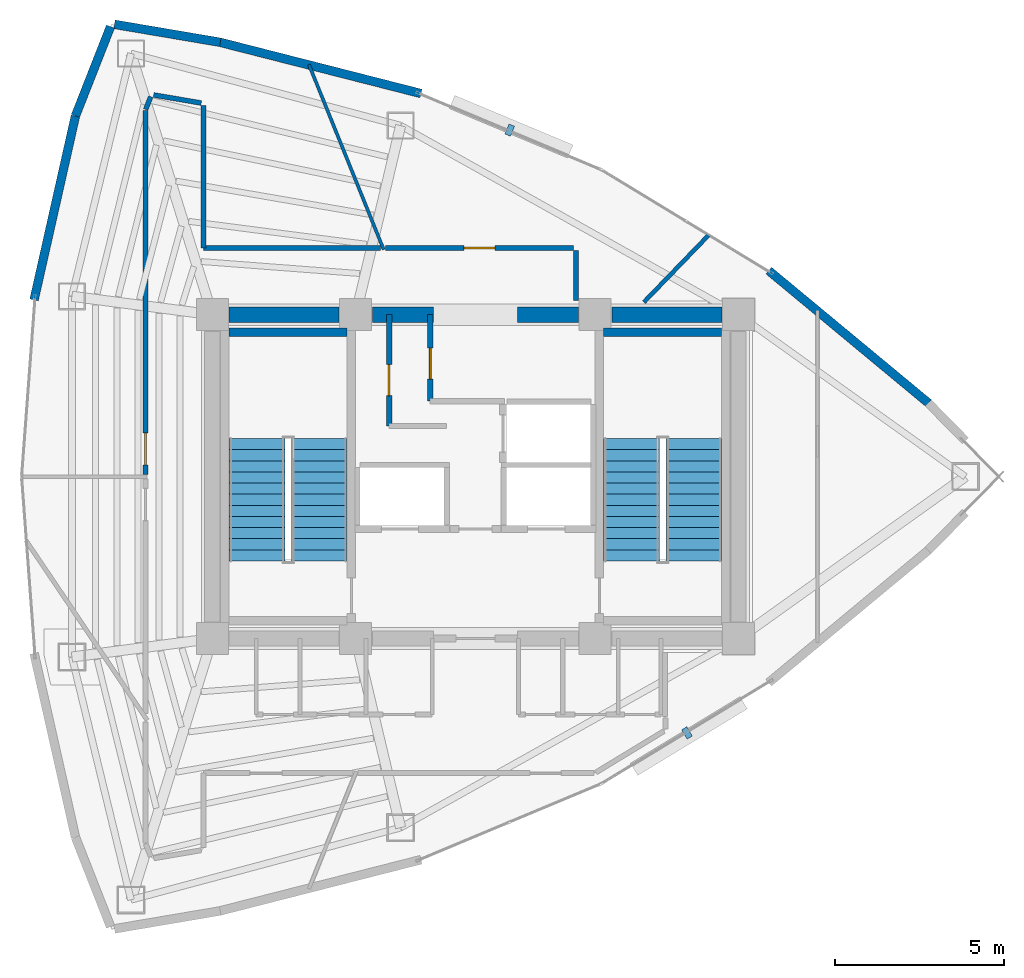
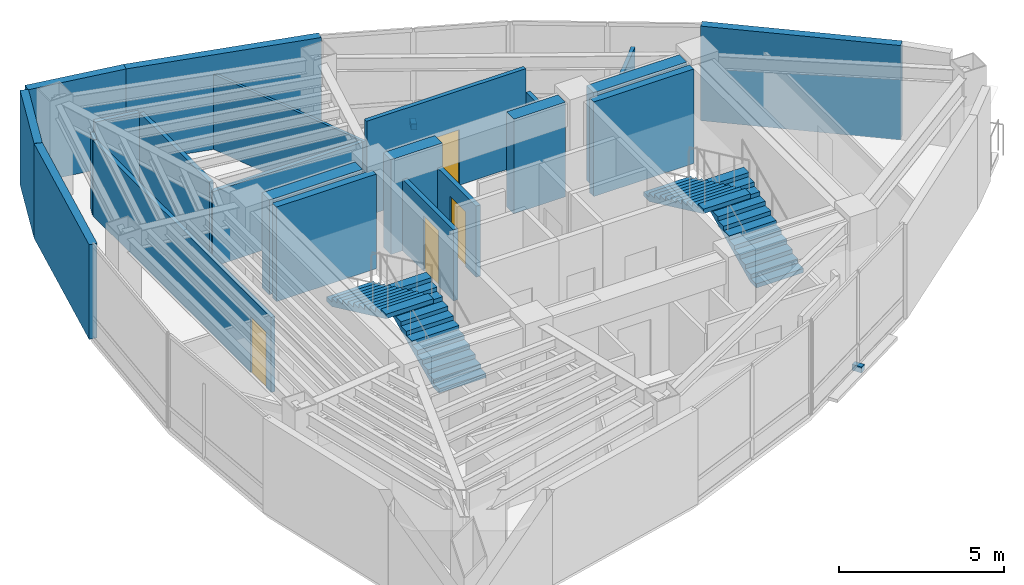
# One storey, part 13 of 15: 22 walls, 4 doors, 4 stair flights, 2 discrete accessories, 4 openings, 2 elements without a shape of their own.
"""IFC4 building model written with IfcOpenShell, lengths in metres."""

from ifc_helpers import new_model, si_unit, direction, frame, frame_2d, origin, origin_2d, place, context, subcontext, project, spatial, polyline, rectangle, outline, extrude, material, layer, layer_set, type_object, element, fill, aggregate, save


model = new_model("IFC4")

# Units and contexts
model_context = context("Model", 3, precision=1e-05, world=origin(), true_north=direction((0.0, 1.0)))
body_context = subcontext(model_context, "Body", "Model", "MODEL_VIEW")
ifc_project = project(units=[si_unit("LENGTHUNIT", "METRE"), si_unit("AREAUNIT", "SQUARE_METRE"), si_unit("VOLUMEUNIT", "CUBIC_METRE"), si_unit("PLANEANGLEUNIT", "RADIAN"), si_unit("MASSUNIT", "GRAM", prefix="KILO")], contexts=[model_context])

# Site, building, storey
site_placement = place(None, origin())
site = spatial("IfcSite", under=ifc_project, at=site_placement, CompositionType="ELEMENT")
building_placement = place(site_placement, origin())
building = spatial("IfcBuilding", under=site, at=building_placement, Name="Menara Vayukalpa", CompositionType="ELEMENT")
storey_placement = place(building_placement, frame((0.0, 0.0, 269.4599609375)))
storey = spatial("IfcBuildingStorey", under=building, at=storey_placement, Name="L68", CompositionType="ELEMENT", Elevation=269.4599609375)

# Walls
ifc_material_1 = material(Name="Concrete C50/60", Category="concrete")
ifc_layer_1 = layer(ifc_material_1, 0.449951171875)
ifc_layer_set_1 = layer_set([ifc_layer_1], Name="Concrete C50/60")
wall_type_1 = type_object("IfcWallType", Name="WAL-CW450", PredefinedType="SHEAR", material=ifc_layer_set_1)
wall_1_placement = place(storey_placement, frame((18.294921875, 26.800048828125, 0.0), z_axis=(0.0, 0.0, 1.0), x_axis=(1.0, 0.0, 0.0)))
element("IfcWall", 1, at=wall_1_placement, inside=storey, type_object=wall_type_1, Name="L68 Buttressed Core Shear Wall CWN1", PredefinedType="SHEAR", context=body_context, shape_type="SweptSolid", body=[
    extrude(rectangle(XDim=3.260009765625, YDim=0.449951171875, at=frame_2d((1.6298828125, 0.0))), origin(), (0.0, 0.0, 1.0), 3.5),
])
wall_2_placement = place(storey_placement, frame((22.544921875, 26.800048828125, 0.0), z_axis=(0.0, 0.0, 1.0), x_axis=(1.0, 0.0, 0.0)))
element("IfcWall", 2, at=wall_2_placement, inside=storey, type_object=wall_type_1, Name="L68 Buttressed Core Shear Wall CWN2", PredefinedType="SHEAR", context=body_context, shape_type="SweptSolid", body=[
    extrude(rectangle(XDim=1.80517578125, YDim=0.449951171875, at=frame_2d((0.902587890625, 0.0))), origin(), (0.0, 0.0, 1.0), 3.5),
])
wall_3_placement = place(storey_placement, frame((26.85009765625, 26.800048828125, 0.0), z_axis=(0.0, 0.0, 1.0), x_axis=(1.0, 0.0, 0.0)))
element("IfcWall", 3, at=wall_3_placement, inside=storey, type_object=wall_type_1, Name="L68 Buttressed Core Shear Wall CWN3", PredefinedType="SHEAR", context=body_context, shape_type="SweptSolid", body=[
    extrude(rectangle(XDim=1.804931640625, YDim=0.449951171875, at=frame_2d((0.90234375, 0.0))), origin(), (0.0, 0.0, 1.0), 3.5),
])
wall_4_placement = place(storey_placement, frame((29.64501953125, 26.800048828125, 0.0), z_axis=(0.0, 0.0, 1.0), x_axis=(1.0, 0.0, 0.0)))
element("IfcWall", 4, at=wall_4_placement, inside=storey, type_object=wall_type_1, Name="L68 Buttressed Core Shear Wall CWN4", PredefinedType="SHEAR", context=body_context, shape_type="SweptSolid", body=[
    extrude(rectangle(XDim=3.260009765625, YDim=0.449951171875, at=frame_2d((1.6298828125, 0.0))), origin(), (0.0, 0.0, 1.0), 3.5),
])
ifc_material_2 = material(Name="Insulated Precast Concrete C40/50", Category="concrete")
ifc_layer_2 = layer(ifc_material_2, 0.260009765625)
ifc_layer_set_2 = layer_set([ifc_layer_2], Name="Insulated Precast Concrete C40/50")
wall_type_2 = type_object("IfcWallType", Name="WAL-EXT260", PredefinedType="PARTITIONING", material=ifc_layer_set_2)
wall_5_placement = place(storey_placement, frame((34.295166015625, 28.1083984375, 0.0), z_axis=(0.0, 0.0, 1.0), x_axis=(0.769779830138, -0.638309496337, 0.0)))
element("IfcWall", 5, at=wall_5_placement, inside=storey, type_object=wall_type_2, Name="L68 Perimeter Terracotta Pier Wall 03", PredefinedType="PARTITIONING", context=body_context, shape_type="SweptSolid", body=[
    extrude(rectangle(XDim=6.154052734375, YDim=0.260009765625, at=frame_2d((3.0771484375, 0.0))), origin(), (0.0, 0.0, 1.0), 3.5),
])
wall_6_placement = place(storey_placement, frame((18.0244140625, 34.878662109375, 0.0), z_axis=(0.0, 0.0, 1.0), x_axis=(0.968988278672, -0.247106689096, 0.0)))
element("IfcWall", 6, at=wall_6_placement, inside=storey, type_object=wall_type_2, Name="L68 Perimeter Terracotta Pier Wall 06", PredefinedType="PARTITIONING", context=body_context, shape_type="SweptSolid", body=[
    extrude(rectangle(XDim=6.154296875, YDim=0.260009765625, at=frame_2d((3.0771484375, 0.0))), origin(), (0.0, 0.0, 1.0), 3.5),
])
wall_7_placement = place(storey_placement, frame((14.900146484375, 35.40869140625, 0.0), z_axis=(0.0, 0.0, 1.0), x_axis=(0.985889432766, -0.167397808709, 0.0)))
element("IfcWall", 7, at=wall_7_placement, inside=storey, type_object=wall_type_2, Name="L68 Perimeter Terracotta Pier Wall 07", PredefinedType="PARTITIONING", context=body_context, shape_type="SweptSolid", body=[
    extrude(rectangle(XDim=3.180908203125, YDim=0.260009765625, at=frame_2d((1.59033203125, 0.0))), origin(), (0.0, 0.0, 1.0), 3.5),
])
wall_8_placement = place(storey_placement, frame((13.741943359375, 32.693359375, 0.0), z_axis=(0.0, 0.0, 1.0), x_axis=(0.36559927932, 0.930772349697, 0.0)))
element("IfcWall", 8, at=wall_8_placement, inside=storey, type_object=wall_type_2, Name="L68 Perimeter Terracotta Pier Wall 08", PredefinedType="PARTITIONING", context=body_context, shape_type="SweptSolid", body=[
    extrude(rectangle(XDim=2.845458984375, YDim=0.260009765625, at=frame_2d((1.4228515625, 0.0))), origin(), (0.0, 0.0, 1.0), 3.5),
])
wall_9_placement = place(storey_placement, frame((12.514892578125, 27.239501953125, 0.0), z_axis=(0.0, 0.0, 1.0), x_axis=(0.219500763731, 0.97561232809, 0.0)))
element("IfcWall", 9, at=wall_9_placement, inside=storey, type_object=wall_type_2, Name="L68 Perimeter Terracotta Pier Wall 09", PredefinedType="PARTITIONING", context=body_context, shape_type="SweptSolid", body=[
    extrude(rectangle(XDim=5.590087890625, YDim=0.260009765625, at=frame_2d((2.794921875, 0.0))), origin(), (0.0, 0.0, 1.0), 3.5),
])

# Wall, opening, door
ifc_material_3 = material(Name="Lightweight Concrete Blockwork C16/20", Category="masonry")
ifc_layer_3 = layer(ifc_material_3, 0.159912109375)
ifc_layer_set_3 = layer_set([ifc_layer_3], Name="Lightweight Concrete Blockwork C16/20")
wall_type_3 = type_object("IfcWallType", Name="WAL-FR150", PredefinedType="PARTITIONING", material=ifc_layer_set_3)
wall_10_placement = place(storey_placement, frame((23.0400390625, 23.5, 0.0), z_axis=(0.0, 0.0, 1.0), x_axis=(0.0, 1.0, 0.0)))
wall_10 = element("IfcWall", 10, at=wall_10_placement, inside=storey, type_object=wall_type_3, Name="L68 Interior Partition IW-L68-LV7WB", PredefinedType="PARTITIONING", context=body_context, shape_type="SweptSolid", body=[
    extrude(rectangle(XDim=3.300048828125, YDim=0.159912109375, at=frame_2d((1.64990234375, 0.0))), origin(), (0.0, 0.0, 1.0), 2.630126953125),
])
opening_1_placement = place(wall_10_placement, frame((0.89990234375, 0.0, 0.0)))
opening_1 = element("IfcOpeningElement", 11, at=opening_1_placement, cuts=wall_10, Name="Opening ID6", PredefinedType="OPENING", context=body_context, shape_type="SweptSolid", body=[
    extrude(rectangle(XDim=0.919921875, YDim=2.050048828125, at=frame_2d((0.4599609375, 1.02490234375))), frame((0.0, 0.08984375, 0.0), z_axis=(0.0, -1.0, 0.0), x_axis=(1.0, 0.0, 0.0)), (0.0, 0.0, 1.0), 0.179931640625),
])
ifc_material_4 = material(Name="Acoustic Hardwood Veneer Timber Door", Category="wood")
door_type_1 = type_object("IfcDoorType", Name="DR-INT92", OperationType="NOTDEFINED", PredefinedType="DOOR", material=ifc_material_4)
door_1_placement = place(opening_1_placement, origin())
door_1 = element("IfcDoor", 12, at=door_1_placement, inside=storey, type_object=door_type_1, Name="L68 Interior Door DR-L68-LV7W", OperationType="SINGLE_SWING_RIGHT", OverallHeight=2.050048828125, OverallWidth=0.919921875, PredefinedType="DOOR", context=body_context, shape_type="SweptSolid", body=[
    extrude(rectangle(XDim=0.919921875, YDim=2.050048828125, at=frame_2d((0.4599609375, 1.02490234375))), frame((0.0, 0.02490234375, 0.0), z_axis=(0.0, -1.0, 0.0), x_axis=(1.0, 0.0, 0.0)), (0.0, 0.0, 1.0), 0.050048828125),
])
fill(opening_1, door_1)

wall_11_placement = place(storey_placement, frame((24.260009765625, 24.239990234375, 0.0), z_axis=(0.0, 0.0, 1.0), x_axis=(0.0, 1.0, 0.0)))
wall_11 = element("IfcWall", 13, at=wall_11_placement, inside=storey, type_object=wall_type_3, Name="L68 Interior Partition IW-L68-LV7EB", PredefinedType="PARTITIONING", context=body_context, shape_type="SweptSolid", body=[
    extrude(rectangle(XDim=2.56005859375, YDim=0.159912109375, at=frame_2d((1.280029296875, 0.0))), origin(), (0.0, 0.0, 1.0), 2.630126953125),
])
opening_2_placement = place(wall_11_placement, frame((0.64990234375, 0.0, 0.0)))
opening_2 = element("IfcOpeningElement", 14, at=opening_2_placement, cuts=wall_11, Name="Opening ID6", PredefinedType="OPENING", context=body_context, shape_type="SweptSolid", body=[
    extrude(rectangle(XDim=0.919921875, YDim=2.050048828125, at=frame_2d((0.4599609375, 1.02490234375))), frame((0.0, 0.08984375, 0.0), z_axis=(0.0, -1.0, 0.0), x_axis=(1.0, 0.0, 0.0)), (0.0, 0.0, 1.0), 0.179931640625),
])
door_2_placement = place(opening_2_placement, origin())
door_2 = element("IfcDoor", 15, at=door_2_placement, inside=storey, type_object=door_type_1, Name="L68 Interior Door DR-L68-LV7E", OperationType="SINGLE_SWING_LEFT", OverallHeight=2.050048828125, OverallWidth=0.919921875, PredefinedType="DOOR", context=body_context, shape_type="SweptSolid", body=[
    extrude(rectangle(XDim=0.919921875, YDim=2.050048828125, at=frame_2d((0.4599609375, 1.02490234375))), frame((0.0, 0.02490234375, 0.0), z_axis=(0.0, -1.0, 0.0), x_axis=(1.0, 0.0, 0.0)), (0.0, 0.0, 1.0), 0.050048828125),
])
fill(opening_2, door_2)

# Walls
ifc_material_5 = material(Name="Glazed Demountable Office Partition", Category="glass")
ifc_layer_4 = layer(ifc_material_5, 0.094970703125)
ifc_layer_set_4 = layer_set([ifc_layer_4], Name="Glazed Demountable Office Partition")
wall_type_4 = type_object("IfcWallType", Name="WAL-PT100", PredefinedType="PARTITIONING", material=ifc_layer_set_4)
wall_12_placement = place(storey_placement, frame((22.880859375, 28.72998046875, 0.0), z_axis=(0.0, 0.0, 1.0), x_axis=(-0.374589946081, 0.927190580353, 0.0)))
element("IfcWall", 16, at=wall_12_placement, inside=storey, type_object=wall_type_4, Name="L68 Interior Partition IW-L68-RDIV02", PredefinedType="PARTITIONING", context=body_context, shape_type="SweptSolid", body=[
    extrude(rectangle(XDim=5.91650390625, YDim=0.094970703125, at=frame_2d((2.958251953125, 0.0))), origin(), (0.0, 0.0, 1.0), 2.780029296875),
])
ifc_material_6 = material(Name="Gypsum Drywall Steel Stud Assembly", Category="steel")
ifc_layer_5 = layer(ifc_material_6, 0.125)
ifc_layer_set_5 = layer_set([ifc_layer_5], Name="Gypsum Drywall Steel Stud Assembly")
wall_type_5 = type_object("IfcWallType", Name="WAL-PT125", PredefinedType="PARTITIONING", material=ifc_layer_set_5)
wall_13_placement = place(storey_placement, frame((30.592529296875, 27.169921875, 0.0), z_axis=(0.0, 0.0, 1.0), x_axis=(0.694647663232, 0.719350140033, 0.0)))
element("IfcWall", 17, at=wall_13_placement, inside=storey, type_object=wall_type_5, Name="L68 Interior Partition IW-L68-RDIV01", PredefinedType="PARTITIONING", context=body_context, shape_type="SweptSolid", body=[
    extrude(rectangle(XDim=2.787109375, YDim=0.125, at=frame_2d((1.3935546875, 0.0))), origin(), (0.0, 0.0, 1.0), 2.630126953125),
])
ifc_material_7 = material(Name="Gypsum Drywall Acoustic Stud Assembly", Category="masonry")
ifc_layer_6 = layer(ifc_material_7, 0.14501953125)
ifc_layer_set_6 = layer_set([ifc_layer_6], Name="Gypsum Drywall Acoustic Stud Assembly")
wall_type_6 = type_object("IfcWallType", Name="WAL-PT150", PredefinedType="PARTITIONING", material=ifc_layer_set_6)
wall_14_placement = place(storey_placement, frame((28.580078125, 27.219970703125, 0.0), z_axis=(0.0, 0.0, 1.0), x_axis=(0.0, 1.0, 0.0)))
element("IfcWall", 18, at=wall_14_placement, inside=storey, type_object=wall_type_6, Name="L68 Interior Partition IW-L68-CRM06-1", PredefinedType="PARTITIONING", context=body_context, shape_type="SweptSolid", body=[
    extrude(rectangle(XDim=1.47998046875, YDim=0.14501953125, at=frame_2d((0.739990234375, 0.0))), origin(), (0.0, 0.0, 1.0), 2.630126953125),
])

# Wall, opening, door
wall_15_placement = place(storey_placement, frame((28.5, 28.780029296875, 0.0), z_axis=(0.0, 0.0, 1.0), x_axis=(-1.0, 0.0, 0.0)))
wall_15 = element("IfcWall", 19, at=wall_15_placement, inside=storey, type_object=wall_type_6, Name="L68 Interior Partition IW-L68-CRM06-2", PredefinedType="PARTITIONING", context=body_context, shape_type="SweptSolid", body=[
    extrude(rectangle(XDim=5.563720703125, YDim=0.14501953125, at=frame_2d((2.78173828125, 0.0))), origin(), (0.0, 0.0, 1.0), 3.5),
])
opening_3_placement = place(wall_15_placement, frame((2.322021484375, 0.0, 0.0)))
opening_3 = element("IfcOpeningElement", 20, at=opening_3_placement, cuts=wall_15, Name="Opening ID6", PredefinedType="OPENING", context=body_context, shape_type="SweptSolid", body=[
    extrude(rectangle(XDim=0.919921875, YDim=2.050048828125, at=frame_2d((0.4599609375, 1.02490234375))), frame((0.0, 0.08251953125, 0.0), z_axis=(0.0, -1.0, 0.0), x_axis=(1.0, 0.0, 0.0)), (0.0, 0.0, 1.0), 0.1650390625),
])
door_3_placement = place(opening_3_placement, origin())
door_3 = element("IfcDoor", 21, at=door_3_placement, inside=storey, type_object=door_type_1, Name="L68 Interior Door DR-L68-RM06", OperationType="SINGLE_SWING_LEFT", OverallHeight=2.050048828125, OverallWidth=0.919921875, PredefinedType="DOOR", context=body_context, shape_type="SweptSolid", body=[
    extrude(rectangle(XDim=0.919921875, YDim=2.050048828125, at=frame_2d((0.4599609375, 1.02490234375))), frame((0.0, 0.02490234375, 0.0), z_axis=(0.0, -1.0, 0.0), x_axis=(1.0, 0.0, 0.0)), (0.0, 0.0, 1.0), 0.050048828125),
])
fill(opening_3, door_3)

# Walls
wall_16_placement = place(storey_placement, frame((22.78515625, 28.780029296875, 0.0), z_axis=(0.0, 0.0, 1.0), x_axis=(-1.0, 0.0, 0.0)))
element("IfcWall", 22, at=wall_16_placement, inside=storey, type_object=wall_type_6, Name="L68 Interior Partition IW-L68-CRM07-1", PredefinedType="PARTITIONING", context=body_context, shape_type="SweptSolid", body=[
    extrude(rectangle(XDim=5.2451171875, YDim=0.14501953125, at=frame_2d((2.62255859375, 0.0))), origin(), (0.0, 0.0, 1.0), 2.780029296875),
])
wall_17_placement = place(storey_placement, frame((17.5400390625, 28.780029296875, 0.0), z_axis=(0.0, 0.0, 1.0), x_axis=(0.0, 1.0, 0.0)))
element("IfcWall", 23, at=wall_17_placement, inside=storey, type_object=wall_type_6, Name="L68 Interior Partition IW-L68-CRM07-2", PredefinedType="PARTITIONING", context=body_context, shape_type="SweptSolid", body=[
    extrude(rectangle(XDim=4.216064453125, YDim=0.14501953125, at=frame_2d((2.10791015625, 0.0))), origin(), (0.0, 0.0, 1.0), 3.130126953125),
])
wall_18_placement = place(storey_placement, frame((17.473388671875, 33.074951171875, 0.0), z_axis=(0.0, 0.0, 1.0), x_axis=(-0.985881780308, 0.167442871621, 0.0)))
element("IfcWall", 24, at=wall_18_placement, inside=storey, type_object=wall_type_6, Name="L68 Interior Partition IW-L68-CRM07-3", PredefinedType="PARTITIONING", context=body_context, shape_type="SweptSolid", body=[
    extrude(rectangle(XDim=1.430419921875, YDim=0.14501953125, at=frame_2d((0.71533203125, 0.0))), origin(), (0.0, 0.0, 1.0), 3.130126953125),
])
wall_19_placement = place(storey_placement, frame((15.975341796875, 33.2646484375, 0.0), z_axis=(0.0, 0.0, 1.0), x_axis=(-0.365633948196, -0.930758731319, 0.0)))
element("IfcWall", 25, at=wall_19_placement, inside=storey, type_object=wall_type_6, Name="L68 Interior Partition IW-L68-CRM07-4", PredefinedType="PARTITIONING", context=body_context, shape_type="SweptSolid", body=[
    extrude(rectangle(XDim=0.409912109375, YDim=0.14501953125, at=frame_2d((0.205078125, 0.0))), origin(), (0.0, 0.0, 1.0), 2.780029296875),
])

# Wall, opening, door
wall_20_placement = place(storey_placement, frame((15.820068359375, 32.853759765625, 0.0), z_axis=(0.0, 0.0, 1.0), x_axis=(0.0, -1.0, 0.0)))
wall_20 = element("IfcWall", 26, at=wall_20_placement, inside=storey, type_object=wall_type_6, Name="L68 Interior Partition IW-L68-CRM07-5", PredefinedType="PARTITIONING", context=body_context, shape_type="SweptSolid", body=[
    extrude(rectangle(XDim=10.78369140625, YDim=0.14501953125, at=frame_2d((5.391845703125, 0.0))), origin(), (0.0, 0.0, 1.0), 2.780029296875),
])
opening_4_placement = place(wall_20_placement, frame((9.5537109375, 0.0, 0.0)))
opening_4 = element("IfcOpeningElement", 27, at=opening_4_placement, cuts=wall_20, Name="Opening ID5", PredefinedType="OPENING", context=body_context, shape_type="SweptSolid", body=[
    extrude(rectangle(XDim=0.949951171875, YDim=2.06005859375, at=frame_2d((0.47509765625, 1.030029296875))), frame((0.0, 0.08251953125, 0.0), z_axis=(0.0, -1.0, 0.0), x_axis=(1.0, 0.0, 0.0)), (0.0, 0.0, 1.0), 0.1650390625),
])
ifc_material_8 = material(Name="Acoustic Hardwood Veneer Timber Door", Category="wood")
door_type_2 = type_object("IfcDoorType", Name="DR-INT95", OperationType="NOTDEFINED", PredefinedType="DOOR", material=ifc_material_8)
door_4_placement = place(opening_4_placement, origin())
door_4 = element("IfcDoor", 28, at=door_4_placement, inside=storey, type_object=door_type_2, Name="L68 Interior Door DR-L68-RM07", OperationType="SINGLE_SWING_RIGHT", OverallHeight=2.06005859375, OverallWidth=0.949951171875, PredefinedType="DOOR", context=body_context, shape_type="SweptSolid", body=[
    extrude(rectangle(XDim=0.949951171875, YDim=2.06005859375, at=frame_2d((0.47509765625, 1.030029296875))), frame((0.0, 0.02490234375, 0.0), z_axis=(0.0, -1.0, 0.0), x_axis=(1.0, 0.0, 0.0)), (0.0, 0.0, 1.0), 0.050048828125),
])
fill(opening_4, door_4)

# Walls
ifc_material_9 = material(Name="Concrete C50/60", Category="concrete")
ifc_layer_7 = layer(ifc_material_9, 0.25)
ifc_layer_set_7 = layer_set([ifc_layer_7], Name="Concrete C50/60")
wall_type_7 = type_object("IfcWallType", Name="WAL-SW250", PredefinedType="SHEAR", material=ifc_layer_set_7)
for number, where, z_axis, x_axis, name in (
    (29, (18.300048828125, 26.27490234375, 0.0), (0.0, 0.0, 1.0), (1.0, 0.0, 0.0), "L68 ST1 Structural Stair Shaft Wall N"),
    (30, (29.39990234375, 26.27490234375, 0.0), (0.0, 0.0, 1.0), (1.0, 0.0, 0.0), "L68 ST2 Structural Stair Shaft Wall N"),
):
    element("IfcWall", number, at=place(storey_placement, frame(where, z_axis=z_axis, x_axis=x_axis)), inside=storey, type_object=wall_type_7, Name=name, PredefinedType="SHEAR", context=body_context, shape_type="SweptSolid", body=[
        extrude(rectangle(XDim=3.5, YDim=0.25, at=frame_2d((1.75, 0.0))), origin(), (0.0, 0.0, 1.0), 3.5),
    ])

# Stair, stair flights
ifc_material_10 = material(Name="Precast Concrete C40/50", Category="concrete")
stair_type = type_object("IfcStairType", Name="STR-T04", PredefinedType="DOUBLE_RETURN_STAIR", material=ifc_material_10)
stair_1_placement = place(storey_placement, origin())
stair_1 = element("IfcStair", 31, at=stair_1_placement, inside=storey, type_object=stair_type, Name="L68 Core Exit Stair ST-1", PredefinedType="DOUBLE_RETURN_STAIR")
ifc_material_11 = material(Name="Precast Concrete C40/50", Category="concrete")
stair_flight_type = type_object("IfcStairFlightType", Name="STF-T04", PredefinedType="STRAIGHT", material=ifc_material_11)
stair_flight_1_placement = place(storey_placement, frame((20.97509765625, 19.5, 0.0), z_axis=(0.0, 0.0, 1.0), x_axis=(0.0, 1.0, 0.0)))
stair_flight_1 = element("IfcStairFlight", 32, at=stair_flight_1_placement, type_object=stair_flight_type, Name="ST-1 flight 1", NumberOfRisers=12, NumberOfTreads=11, PredefinedType="STRAIGHT", RiserHeight=0.155, TreadLength=0.33, context=body_context, shape_type="SweptSolid", body=[
    extrude(outline(polyline([(0.0, 0.0), (0.0, 0.155029296875), (0.330078125, 0.155029296875), (0.330078125, 0.31005859375), (0.659912109375, 0.31005859375), (0.659912109375, 0.465087890625), (0.989990234375, 0.465087890625), (0.989990234375, 0.6201171875), (1.320068359375, 0.6201171875), (1.320068359375, 0.77490234375), (1.64990234375, 0.77490234375), (1.64990234375, 0.929931640625), (1.97998046875, 0.929931640625), (1.97998046875, 1.0849609375), (2.31005859375, 1.0849609375), (2.31005859375, 1.239990234375), (2.639892578125, 1.239990234375), (2.639892578125, 1.39501953125), (2.969970703125, 1.39501953125), (2.969970703125, 1.550048828125), (3.300048828125, 1.550048828125), (3.300048828125, 1.705078125), (3.6298828125, 1.705078125), (3.6298828125, 1.860107421875), (3.6298828125, 1.539306640625), (0.3525390625, 0.0), (0.0, 0.0)])), frame((0.0, 0.824951171875, 0.0), z_axis=(0.0, -1.0, 0.0), x_axis=(1.0, 0.0, 0.0)), (0.0, 0.0, 1.0), 1.64990234375),
])
stair_flight_2_placement = place(storey_placement, frame((19.125, 23.1298828125, 1.860107421875), z_axis=(0.0, 0.0, 1.0), x_axis=(0.0, -1.0, 0.0)))
stair_flight_2 = element("IfcStairFlight", 33, at=stair_flight_2_placement, type_object=stair_flight_type, Name="ST-1 flight 2", NumberOfRisers=12, NumberOfTreads=11, PredefinedType="STRAIGHT", RiserHeight=0.155, TreadLength=0.33, context=body_context, shape_type="SweptSolid", body=[
    extrude(outline(polyline([(0.0, 0.0), (0.0, 0.155029296875), (0.330078125, 0.155029296875), (0.330078125, 0.31005859375), (0.659912109375, 0.31005859375), (0.659912109375, 0.465087890625), (0.989990234375, 0.465087890625), (0.989990234375, 0.6201171875), (1.320068359375, 0.6201171875), (1.320068359375, 0.77490234375), (1.64990234375, 0.77490234375), (1.64990234375, 0.929931640625), (1.97998046875, 0.929931640625), (1.97998046875, 1.0849609375), (2.31005859375, 1.0849609375), (2.31005859375, 1.239990234375), (2.639892578125, 1.239990234375), (2.639892578125, 1.39501953125), (2.969970703125, 1.39501953125), (2.969970703125, 1.550048828125), (3.300048828125, 1.550048828125), (3.300048828125, 1.705078125), (3.6298828125, 1.705078125), (3.6298828125, 1.860107421875), (3.6298828125, 1.539306640625), (0.3525390625, 0.0), (0.0, 0.0)])), frame((0.0, 0.824951171875, 0.0), z_axis=(0.0, -1.0, 0.0), x_axis=(1.0, 0.0, 0.0)), (0.0, 0.0, 1.0), 1.64990234375),
])
aggregate(stair_1, [stair_flight_1, stair_flight_2])

stair_2_placement = place(storey_placement, origin())
stair_2 = element("IfcStair", 34, at=stair_2_placement, inside=storey, type_object=stair_type, Name="L68 Core Exit Stair ST-2", PredefinedType="DOUBLE_RETURN_STAIR")
stair_flight_3_placement = place(storey_placement, frame((32.074951171875, 19.5, 0.0), z_axis=(0.0, 0.0, 1.0), x_axis=(0.0, 1.0, 0.0)))
stair_flight_3 = element("IfcStairFlight", 35, at=stair_flight_3_placement, type_object=stair_flight_type, Name="ST-2 flight 1", NumberOfRisers=12, NumberOfTreads=11, PredefinedType="STRAIGHT", RiserHeight=0.155, TreadLength=0.33, context=body_context, shape_type="SweptSolid", body=[
    extrude(outline(polyline([(0.0, 0.0), (0.0, 0.155029296875), (0.330078125, 0.155029296875), (0.330078125, 0.31005859375), (0.659912109375, 0.31005859375), (0.659912109375, 0.465087890625), (0.989990234375, 0.465087890625), (0.989990234375, 0.6201171875), (1.320068359375, 0.6201171875), (1.320068359375, 0.77490234375), (1.64990234375, 0.77490234375), (1.64990234375, 0.929931640625), (1.97998046875, 0.929931640625), (1.97998046875, 1.0849609375), (2.31005859375, 1.0849609375), (2.31005859375, 1.239990234375), (2.639892578125, 1.239990234375), (2.639892578125, 1.39501953125), (2.969970703125, 1.39501953125), (2.969970703125, 1.550048828125), (3.300048828125, 1.550048828125), (3.300048828125, 1.705078125), (3.6298828125, 1.705078125), (3.6298828125, 1.860107421875), (3.6298828125, 1.539306640625), (0.3525390625, 0.0), (0.0, 0.0)])), frame((0.0, 0.824951171875, 0.0), z_axis=(0.0, -1.0, 0.0), x_axis=(1.0, 0.0, 0.0)), (0.0, 0.0, 1.0), 1.64990234375),
])
stair_flight_4_placement = place(storey_placement, frame((30.22509765625, 23.1298828125, 1.860107421875), z_axis=(0.0, 0.0, 1.0), x_axis=(0.0, -1.0, 0.0)))
stair_flight_4 = element("IfcStairFlight", 36, at=stair_flight_4_placement, type_object=stair_flight_type, Name="ST-2 flight 2", NumberOfRisers=12, NumberOfTreads=11, PredefinedType="STRAIGHT", RiserHeight=0.155, TreadLength=0.33, context=body_context, shape_type="SweptSolid", body=[
    extrude(outline(polyline([(0.0, 0.0), (0.0, 0.155029296875), (0.330078125, 0.155029296875), (0.330078125, 0.31005859375), (0.659912109375, 0.31005859375), (0.659912109375, 0.465087890625), (0.989990234375, 0.465087890625), (0.989990234375, 0.6201171875), (1.320068359375, 0.6201171875), (1.320068359375, 0.77490234375), (1.64990234375, 0.77490234375), (1.64990234375, 0.929931640625), (1.97998046875, 0.929931640625), (1.97998046875, 1.0849609375), (2.31005859375, 1.0849609375), (2.31005859375, 1.239990234375), (2.639892578125, 1.239990234375), (2.639892578125, 1.39501953125), (2.969970703125, 1.39501953125), (2.969970703125, 1.550048828125), (3.300048828125, 1.550048828125), (3.300048828125, 1.705078125), (3.6298828125, 1.705078125), (3.6298828125, 1.860107421875), (3.6298828125, 1.539306640625), (0.3525390625, 0.0), (0.0, 0.0)])), frame((0.0, 0.824951171875, 0.0), z_axis=(0.0, -1.0, 0.0), x_axis=(1.0, 0.0, 0.0)), (0.0, 0.0, 1.0), 1.64990234375),
])
aggregate(stair_2, [stair_flight_3, stair_flight_4])

# Discrete accessories
ifc_material_12 = material(Name="Stainless Steel 316 Sunshade Bracket", Category="steel")
discrete_accessory_type = type_object("IfcDiscreteAccessoryType", Name="ACC-BRK1", PredefinedType="BRACKET", material=ifc_material_12)
for number, where, z_axis, x_axis, name in (
    (37, (26.61767578125, 32.272705078125, -0.16015625), (0.0, 0.0, 1.0), (-0.922538089456, 0.385906042324, 0.0), "L68 Terracotta Sunshade Bracket 05"),
    (38, (31.87109375, 14.402587890625, -0.16015625), (0.0, 0.0, 1.0), (0.85466730962, 0.519176068272, 0.0), "L68 Terracotta Sunshade Bracket 17"),
):
    element("IfcDiscreteAccessory", number, at=place(storey_placement, frame(where, z_axis=z_axis, x_axis=x_axis)), inside=storey, type_object=discrete_accessory_type, Name=name, PredefinedType="BRACKET", context=body_context, shape_type="SweptSolid", body=[
        extrude(rectangle(XDim=0.179931640625, YDim=0.320068359375, at=origin_2d()), origin(), (0.0, 0.0, 1.0), 0.219970703125),
    ])

save(model, "model.ifc")
